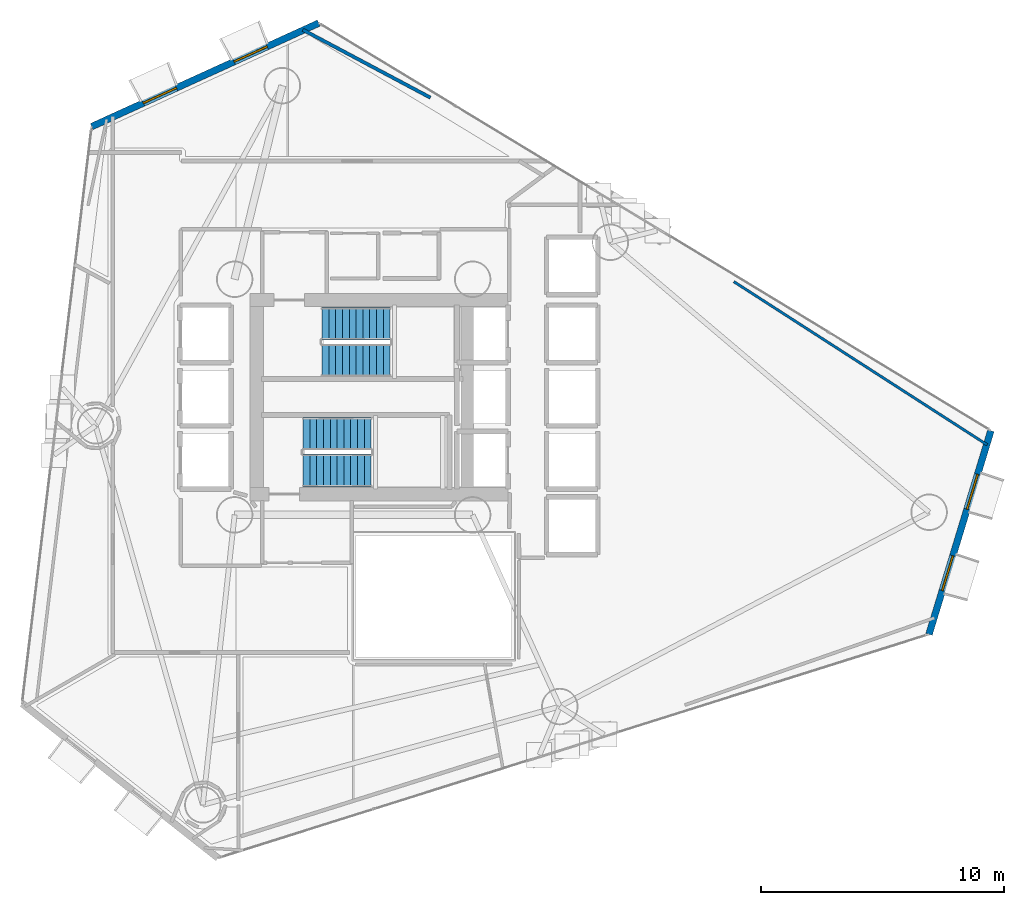
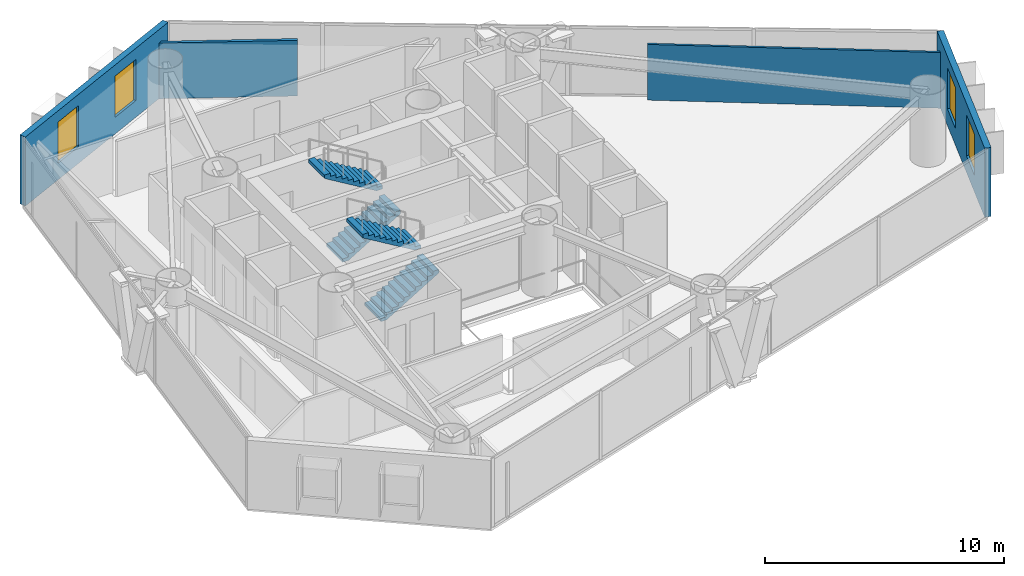
# One storey, part 16 of 18: 4 stair flights, 4 walls, 4 windows, 4 openings, 2 elements without a shape of their own.
"""IFC4 building model written with IfcOpenShell, lengths in metres."""

from ifc_helpers import new_model, si_unit, direction, frame, frame_2d, origin, place, context, subcontext, project, spatial, polyline, rectangle, outline, extrude, material, layer, layer_set, type_object, element, fill, aggregate, save


model = new_model("IFC4")

# Units and contexts
model_context = context("Model", 3, precision=1e-05, world=origin(), true_north=direction((0.0, 1.0)))
body_context = subcontext(model_context, "Body", "Model", "MODEL_VIEW")
ifc_project = project(units=[si_unit("LENGTHUNIT", "METRE"), si_unit("AREAUNIT", "SQUARE_METRE"), si_unit("VOLUMEUNIT", "CUBIC_METRE"), si_unit("PLANEANGLEUNIT", "RADIAN"), si_unit("MASSUNIT", "GRAM", prefix="KILO")], contexts=[model_context])

# Site, building, storey
site_placement = place(None, origin())
site = spatial("IfcSite", under=ifc_project, at=site_placement, CompositionType="ELEMENT")
building_placement = place(site_placement, origin())
building = spatial("IfcBuilding", under=site, at=building_placement, Name="Qianvela Tower", CompositionType="ELEMENT")
storey_placement = place(building_placement, frame((0.0, 0.0, 116.300048828125)))
storey = spatial("IfcBuildingStorey", under=building, at=storey_placement, Name="L29", CompositionType="ELEMENT", Elevation=116.300048828125)

# Wall, openings, windows
ifc_material_1 = material(Name="Terracotta Cladding on Concrete C40", Category="masonry")
ifc_layer_1 = layer(ifc_material_1, 0.280029296875)
ifc_layer_set_1 = layer_set([ifc_layer_1], Name="Terracotta Cladding on Concrete C40")
wall_type_1 = type_object("IfcWallType", Name="TERRACOTTA-WALL-280", PredefinedType="SOLIDWALL", material=ifc_layer_set_1)
wall_1_placement = place(storey_placement, frame((57.191162109375, 18.931884765625, 0.0), z_axis=(0.0, 0.0, 1.0), x_axis=(0.290756814837, 0.956796987154, 0.0)))
wall_1 = element("IfcWall", 1, at=wall_1_placement, inside=storey, type_object=wall_type_1, Name="L29 Terracotta Chamfer Facet Wall 1", PredefinedType="SOLIDWALL", context=body_context, shape_type="SweptSolid", body=[
    extrude(rectangle(XDim=8.76025390625, YDim=0.280029296875, at=frame_2d((4.380126953125, 0.0))), origin(), (0.0, 0.0, 1.0), 3.52001953125),
])
opening_1_placement = place(wall_1_placement, frame((1.878173828125, 0.0, 0.85009765625)))
opening_1 = element("IfcOpeningElement", 2, at=opening_1_placement, cuts=wall_1, Name="Opening W-02", PredefinedType="OPENING", context=body_context, shape_type="SweptSolid", body=[
    extrude(rectangle(XDim=1.5, YDim=2.10009765625, at=frame_2d((0.75, 1.050048828125))), frame((0.0, 0.14990234375, 0.0), z_axis=(0.0, -1.0, 0.0), x_axis=(1.0, 0.0, 0.0)), (0.0, 0.0, 1.0), 0.300048828125),
])
opening_2_placement = place(wall_1_placement, frame((5.382080078125, 0.0, 0.85009765625)))
opening_2 = element("IfcOpeningElement", 3, at=opening_2_placement, cuts=wall_1, Name="Opening W-02", PredefinedType="OPENING", context=body_context, shape_type="SweptSolid", body=[
    extrude(rectangle(XDim=1.5, YDim=2.10009765625, at=frame_2d((0.75, 1.050048828125))), frame((0.0, 0.14990234375, 0.0), z_axis=(0.0, -1.0, 0.0), x_axis=(1.0, 0.0, 0.0)), (0.0, 0.0, 1.0), 0.300048828125),
])
ifc_material_2 = material(Name="Thermally Broken Aluminium and Low-E Glass", Category="aluminium")
window_type = type_object("IfcWindowType", Name="WIN-TC-1500x2100", PartitioningType="DOUBLE_PANEL_VERTICAL", PredefinedType="WINDOW", material=ifc_material_2)
window_1_placement = place(opening_1_placement, origin())
window_1 = element("IfcWindow", 4, at=window_1_placement, inside=storey, type_object=window_type, Name="L29 Chamfer Facet Window 1.1", OverallHeight=2.10009765625, OverallWidth=1.5, PartitioningType="SINGLE_PANEL", PredefinedType="WINDOW", context=body_context, shape_type="SweptSolid", body=[
    extrude(rectangle(XDim=1.5, YDim=2.10009765625, at=frame_2d((0.75, 1.050048828125))), frame((0.0, 0.030029296875, 0.0), z_axis=(0.0, -1.0, 0.0), x_axis=(1.0, 0.0, 0.0)), (0.0, 0.0, 1.0), 0.06005859375),
])
fill(opening_1, window_1)
window_2_placement = place(opening_2_placement, origin())
window_2 = element("IfcWindow", 5, at=window_2_placement, inside=storey, type_object=window_type, Name="L29 Chamfer Facet Window 1.2", OverallHeight=2.10009765625, OverallWidth=1.5, PartitioningType="SINGLE_PANEL", PredefinedType="WINDOW", context=body_context, shape_type="SweptSolid", body=[
    extrude(rectangle(XDim=1.5, YDim=2.10009765625, at=frame_2d((0.75, 1.050048828125))), frame((0.0, 0.030029296875, 0.0), z_axis=(0.0, -1.0, 0.0), x_axis=(1.0, 0.0, 0.0)), (0.0, 0.0, 1.0), 0.06005859375),
])
fill(opening_2, window_2)

wall_2_placement = place(storey_placement, frame((32.06201171875, 44.096923828125, 0.0), z_axis=(0.0, 0.0, 1.0), x_axis=(-0.909919805149, -0.414784218838, 0.0)))
wall_2 = element("IfcWall", 6, at=wall_2_placement, inside=storey, type_object=wall_type_1, Name="L29 Terracotta Chamfer Facet Wall 3", PredefinedType="SOLIDWALL", context=body_context, shape_type="SweptSolid", body=[
    extrude(rectangle(XDim=10.269775390625, YDim=0.280029296875, at=frame_2d((5.134765625, 0.0))), origin(), (0.0, 0.0, 1.0), 3.52001953125),
])
opening_3_placement = place(wall_2_placement, frame((2.330810546875, 0.0, 0.85009765625)))
opening_3 = element("IfcOpeningElement", 7, at=opening_3_placement, cuts=wall_2, Name="Opening W-02", PredefinedType="OPENING", context=body_context, shape_type="SweptSolid", body=[
    extrude(rectangle(XDim=1.5, YDim=2.10009765625, at=frame_2d((0.75, 1.050048828125))), frame((0.0, 0.14990234375, 0.0), z_axis=(0.0, -1.0, 0.0), x_axis=(1.0, 0.0, 0.0)), (0.0, 0.0, 1.0), 0.300048828125),
])
opening_4_placement = place(wall_2_placement, frame((6.438720703125, 0.0, 0.85009765625)))
opening_4 = element("IfcOpeningElement", 8, at=opening_4_placement, cuts=wall_2, Name="Opening W-02", PredefinedType="OPENING", context=body_context, shape_type="SweptSolid", body=[
    extrude(rectangle(XDim=1.5, YDim=2.10009765625, at=frame_2d((0.75, 1.050048828125))), frame((0.0, 0.14990234375, 0.0), z_axis=(0.0, -1.0, 0.0), x_axis=(1.0, 0.0, 0.0)), (0.0, 0.0, 1.0), 0.300048828125),
])
window_3_placement = place(opening_3_placement, origin())
window_3 = element("IfcWindow", 9, at=window_3_placement, inside=storey, type_object=window_type, Name="L29 Chamfer Facet Window 3.1", OverallHeight=2.10009765625, OverallWidth=1.5, PartitioningType="SINGLE_PANEL", PredefinedType="WINDOW", context=body_context, shape_type="SweptSolid", body=[
    extrude(rectangle(XDim=1.5, YDim=2.10009765625, at=frame_2d((0.75, 1.050048828125))), frame((0.0, 0.030029296875, 0.0), z_axis=(0.0, -1.0, 0.0), x_axis=(1.0, 0.0, 0.0)), (0.0, 0.0, 1.0), 0.06005859375),
])
fill(opening_3, window_3)
window_4_placement = place(opening_4_placement, origin())
window_4 = element("IfcWindow", 10, at=window_4_placement, inside=storey, type_object=window_type, Name="L29 Chamfer Facet Window 3.2", OverallHeight=2.10009765625, OverallWidth=1.5, PartitioningType="SINGLE_PANEL", PredefinedType="WINDOW", context=body_context, shape_type="SweptSolid", body=[
    extrude(rectangle(XDim=1.5, YDim=2.10009765625, at=frame_2d((0.75, 1.050048828125))), frame((0.0, 0.030029296875, 0.0), z_axis=(0.0, -1.0, 0.0), x_axis=(1.0, 0.0, 0.0)), (0.0, 0.0, 1.0), 0.06005859375),
])
fill(opening_4, window_4)

# Walls
ifc_material_3 = material(Name="Lightweight Gypsum Room Partition")
ifc_layer_2 = layer(ifc_material_3, 0.10498046875)
ifc_layer_set_2 = layer_set([ifc_layer_2], Name="Lightweight Gypsum Room Partition")
wall_type_2 = type_object("IfcWallType", Name="WT-PART-105", PredefinedType="PARTITIONING", material=ifc_layer_set_2)
wall_3_placement = place(storey_placement, frame((49.1552734375, 33.45068359375, 0.0), z_axis=(0.0, 0.0, 1.0), x_axis=(0.840707444032, -0.541489606132, 0.0)))
element("IfcWall", 11, at=wall_3_placement, inside=storey, type_object=wall_type_2, Name="L29 Partition 98 seg 2", PredefinedType="PARTITIONING", context=body_context, shape_type="SweptSolid", body=[
    extrude(rectangle(XDim=12.40283203125, YDim=0.10498046875, at=frame_2d((6.201416015625, 0.0))), origin(), (0.0, 0.0, 1.0), 2.83984375),
])
ifc_material_4 = material(Name="Acoustic Double Gypsum Stud Partition")
ifc_layer_3 = layer(ifc_material_4, 0.139892578125)
ifc_layer_set_3 = layer_set([ifc_layer_3], Name="Acoustic Double Gypsum Stud Partition")
wall_type_3 = type_object("IfcWallType", Name="WT-ROOM-140", PredefinedType="PARTITIONING", material=ifc_layer_set_3)
wall_4_placement = place(storey_placement, frame((31.411865234375, 43.81884765625, 0.0), z_axis=(0.0, 0.0, 1.0), x_axis=(0.882926360829, -0.469511492249, 0.0)))
element("IfcWall", 12, at=wall_4_placement, inside=storey, type_object=wall_type_3, Name="L29 Partition 108 seg 1", PredefinedType="PARTITIONING", context=body_context, shape_type="SweptSolid", body=[
    extrude(rectangle(XDim=5.945068359375, YDim=0.139892578125, at=frame_2d((2.97265625, 0.0))), origin(), (0.0, 0.0, 1.0), 2.83984375),
])

# Stair, stair flights
ifc_material_5 = material(Name="Concrete C40", Category="concrete")
stair_type = type_object("IfcStairType", Name="ST-DOGLEG-1350-R168-N22", PredefinedType="HALF_TURN_STAIR", material=ifc_material_5)
stair_1_placement = place(storey_placement, origin())
stair_1 = element("IfcStair", 13, at=stair_1_placement, inside=storey, type_object=stair_type, Name="L29 Smoke-Proof Core Stair ST-1", PredefinedType="HALF_TURN_STAIR")
ifc_material_6 = material(Name="Concrete C40", Category="concrete")
stair_flight_type = type_object("IfcStairFlightType", Name="STF-STRAIGHT-R168-P11", PredefinedType="STRAIGHT", material=ifc_material_6)
stair_flight_1_placement = place(storey_placement, frame((32.199951171875, 30.215087890625, 0.0), z_axis=(0.0, 0.0, 1.0), x_axis=(1.0, 0.0, 0.0)))
stair_flight_1 = element("IfcStairFlight", 14, at=stair_flight_1_placement, type_object=stair_flight_type, Name="ST-1 flight 1", NumberOfRisers=11, NumberOfTreads=10, PredefinedType="STRAIGHT", RiserHeight=0.168181818, TreadLength=0.28, context=body_context, shape_type="SweptSolid", body=[
    extrude(outline(polyline([(0.0, 0.0), (0.0, 0.168212890625), (0.280029296875, 0.168212890625), (0.280029296875, 0.33642578125), (0.56005859375, 0.33642578125), (0.56005859375, 0.504638671875), (0.840087890625, 0.504638671875), (0.840087890625, 0.672607421875), (1.1201171875, 0.672607421875), (1.1201171875, 0.8408203125), (1.39990234375, 0.8408203125), (1.39990234375, 1.009033203125), (1.679931640625, 1.009033203125), (1.679931640625, 1.17724609375), (1.9599609375, 1.17724609375), (1.9599609375, 1.345458984375), (2.239990234375, 1.345458984375), (2.239990234375, 1.513671875), (2.52001953125, 1.513671875), (2.52001953125, 1.681884765625), (2.800048828125, 1.681884765625), (2.800048828125, 1.85009765625), (2.800048828125, 1.5068359375), (0.291015625, 0.0), (0.0, 0.0)])), frame((0.0, 0.675048828125, 0.0), z_axis=(0.0, -1.0, 0.0), x_axis=(1.0, 0.0, 0.0)), (0.0, 0.0, 1.0), 1.35009765625),
])
stair_flight_2_placement = place(storey_placement, frame((35.0, 31.72509765625, 1.849853515625), z_axis=(0.0, 0.0, 1.0), x_axis=(-1.0, 0.0, 0.0)))
stair_flight_2 = element("IfcStairFlight", 15, at=stair_flight_2_placement, type_object=stair_flight_type, Name="ST-1 flight 2", NumberOfRisers=11, NumberOfTreads=10, PredefinedType="STRAIGHT", RiserHeight=0.168181818, TreadLength=0.28, context=body_context, shape_type="SweptSolid", body=[
    extrude(outline(polyline([(0.0, 0.0), (0.0, 0.168212890625), (0.280029296875, 0.168212890625), (0.280029296875, 0.33642578125), (0.56005859375, 0.33642578125), (0.56005859375, 0.504638671875), (0.840087890625, 0.504638671875), (0.840087890625, 0.672607421875), (1.1201171875, 0.672607421875), (1.1201171875, 0.8408203125), (1.39990234375, 0.8408203125), (1.39990234375, 1.009033203125), (1.679931640625, 1.009033203125), (1.679931640625, 1.17724609375), (1.9599609375, 1.17724609375), (1.9599609375, 1.345458984375), (2.239990234375, 1.345458984375), (2.239990234375, 1.513671875), (2.52001953125, 1.513671875), (2.52001953125, 1.681884765625), (2.800048828125, 1.681884765625), (2.800048828125, 1.85009765625), (2.800048828125, 1.5068359375), (0.291015625, 0.0), (0.0, 0.0)])), frame((0.0, 0.675048828125, 0.0), z_axis=(0.0, -1.0, 0.0), x_axis=(1.0, 0.0, 0.0)), (0.0, 0.0, 1.0), 1.35009765625),
])
aggregate(stair_1, [stair_flight_1, stair_flight_2])

stair_2_placement = place(storey_placement, origin())
stair_2 = element("IfcStair", 16, at=stair_2_placement, inside=storey, type_object=stair_type, Name="L29 Smoke-Proof Core Stair ST-2", PredefinedType="HALF_TURN_STAIR")
stair_flight_3_placement = place(storey_placement, frame((31.419921875, 25.675048828125, 0.0), z_axis=(0.0, 0.0, 1.0), x_axis=(1.0, 0.0, 0.0)))
stair_flight_3 = element("IfcStairFlight", 17, at=stair_flight_3_placement, type_object=stair_flight_type, Name="ST-2 flight 1", NumberOfRisers=11, NumberOfTreads=10, PredefinedType="STRAIGHT", RiserHeight=0.168181818, TreadLength=0.28, context=body_context, shape_type="SweptSolid", body=[
    extrude(outline(polyline([(0.0, 0.0), (0.0, 0.168212890625), (0.280029296875, 0.168212890625), (0.280029296875, 0.33642578125), (0.56005859375, 0.33642578125), (0.56005859375, 0.504638671875), (0.840087890625, 0.504638671875), (0.840087890625, 0.672607421875), (1.1201171875, 0.672607421875), (1.1201171875, 0.8408203125), (1.39990234375, 0.8408203125), (1.39990234375, 1.009033203125), (1.679931640625, 1.009033203125), (1.679931640625, 1.17724609375), (1.9599609375, 1.17724609375), (1.9599609375, 1.345458984375), (2.239990234375, 1.345458984375), (2.239990234375, 1.513671875), (2.52001953125, 1.513671875), (2.52001953125, 1.681884765625), (2.800048828125, 1.681884765625), (2.800048828125, 1.85009765625), (2.800048828125, 1.5068359375), (0.291015625, 0.0), (0.0, 0.0)])), frame((0.0, 0.675048828125, 0.0), z_axis=(0.0, -1.0, 0.0), x_axis=(1.0, 0.0, 0.0)), (0.0, 0.0, 1.0), 1.35009765625),
])
stair_flight_4_placement = place(storey_placement, frame((34.219970703125, 27.18505859375, 1.849853515625), z_axis=(0.0, 0.0, 1.0), x_axis=(-1.0, 0.0, 0.0)))
stair_flight_4 = element("IfcStairFlight", 18, at=stair_flight_4_placement, type_object=stair_flight_type, Name="ST-2 flight 2", NumberOfRisers=11, NumberOfTreads=10, PredefinedType="STRAIGHT", RiserHeight=0.168181818, TreadLength=0.28, context=body_context, shape_type="SweptSolid", body=[
    extrude(outline(polyline([(0.0, 0.0), (0.0, 0.168212890625), (0.280029296875, 0.168212890625), (0.280029296875, 0.33642578125), (0.56005859375, 0.33642578125), (0.56005859375, 0.504638671875), (0.840087890625, 0.504638671875), (0.840087890625, 0.672607421875), (1.1201171875, 0.672607421875), (1.1201171875, 0.8408203125), (1.39990234375, 0.8408203125), (1.39990234375, 1.009033203125), (1.679931640625, 1.009033203125), (1.679931640625, 1.17724609375), (1.9599609375, 1.17724609375), (1.9599609375, 1.345458984375), (2.239990234375, 1.345458984375), (2.239990234375, 1.513671875), (2.52001953125, 1.513671875), (2.52001953125, 1.681884765625), (2.800048828125, 1.681884765625), (2.800048828125, 1.85009765625), (2.800048828125, 1.5068359375), (0.291015625, 0.0), (0.0, 0.0)])), frame((0.0, 0.675048828125, 0.0), z_axis=(0.0, -1.0, 0.0), x_axis=(1.0, 0.0, 0.0)), (0.0, 0.0, 1.0), 1.35009765625),
])
aggregate(stair_2, [stair_flight_3, stair_flight_4])

save(model, "model.ifc")
